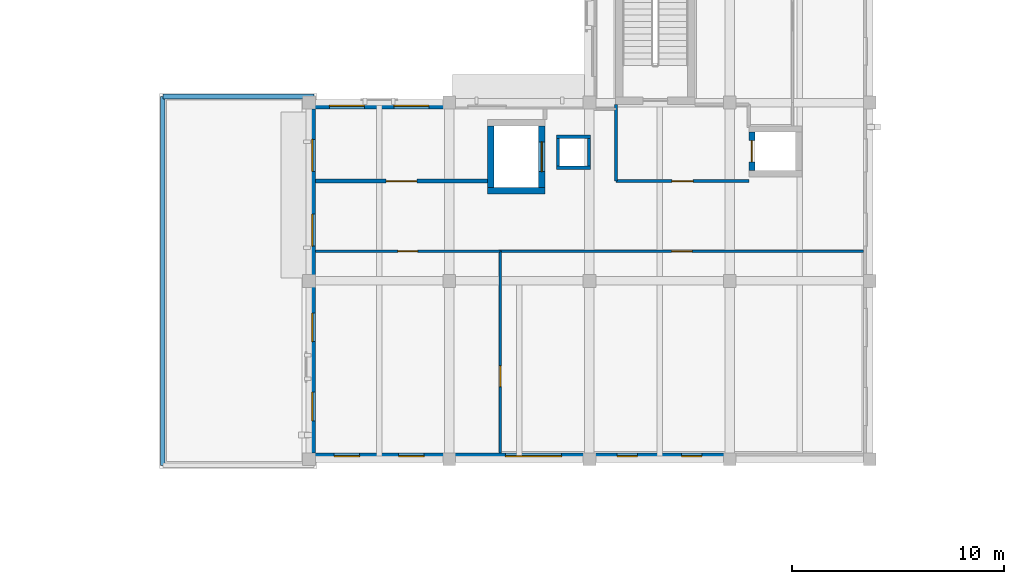
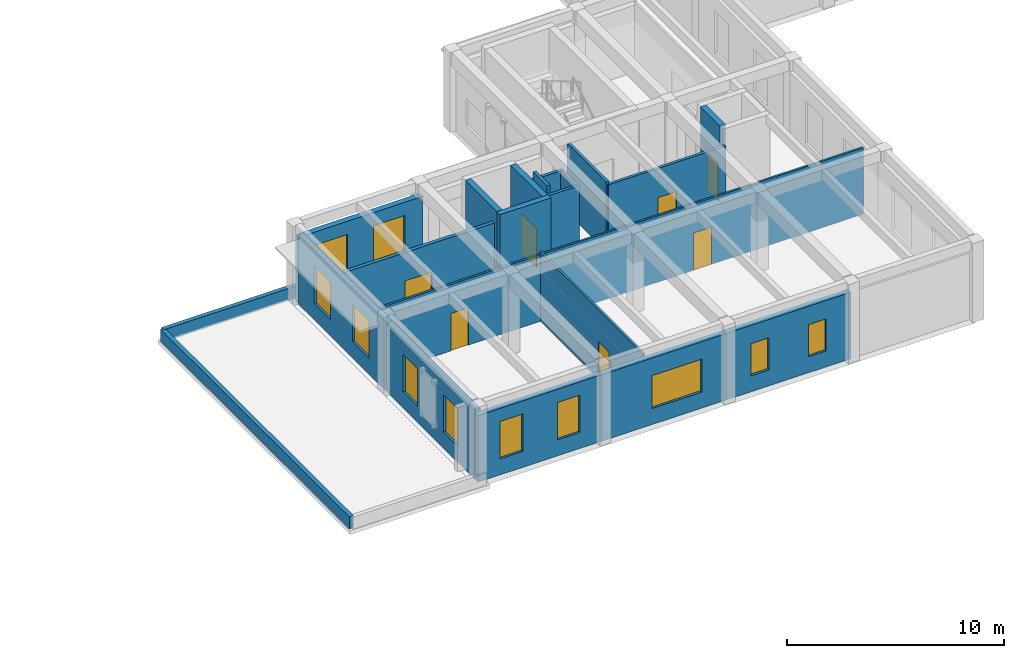
# One storey, part 9 of 25: 22 walls, 11 windows, 7 doors, 18 openings.
"""IFC4 building model written with IfcOpenShell, lengths in metres."""

from ifc_helpers import new_model, si_unit, direction, frame, frame_2d, origin, place, context, subcontext, project, spatial, rectangle, extrude, material, layer, layer_set, type_object, element, fill, save


model = new_model("IFC4")

# Units and contexts
model_context = context("Model", 3, precision=1e-05, world=origin(), true_north=direction((0.0, 1.0)))
body_context = subcontext(model_context, "Body", "Model", "MODEL_VIEW")
ifc_project = project(units=[si_unit("LENGTHUNIT", "METRE"), si_unit("AREAUNIT", "SQUARE_METRE"), si_unit("VOLUMEUNIT", "CUBIC_METRE"), si_unit("PLANEANGLEUNIT", "RADIAN"), si_unit("MASSUNIT", "GRAM", prefix="KILO")], contexts=[model_context])

# Site, building, storey
site_placement = place(None, origin())
site = spatial("IfcSite", under=ifc_project, at=site_placement, CompositionType="ELEMENT")
building_placement = place(site_placement, origin())
building = spatial("IfcBuilding", under=site, at=building_placement, Name="Kolvaren Faculty of Natural Sciences", CompositionType="ELEMENT")
storey_placement = place(building_placement, frame((0.0, 0.0, 19.5)))
storey = spatial("IfcBuildingStorey", under=building, at=storey_placement, Name="L04", CompositionType="ELEMENT", Elevation=19.5)

# Wall, openings, windows
ifc_material_1 = material(Name="Sandstone-faced insulated cavity masonry", Category="masonry")
ifc_layer_1 = layer(ifc_material_1, 0.300048828125)
ifc_layer_set_1 = layer_set([ifc_layer_1], Name="Sandstone-faced insulated cavity masonry")
wall_type_1 = type_object("IfcWallType", Name="ExteriorCavityWall_300", PredefinedType="STANDARD", material=ifc_layer_set_1)
wall_1_placement = place(storey_placement, frame((132.199951171875, 17.14990234375, 0.0), z_axis=(0.0, 0.0, 1.0), x_axis=(-1.0, 0.0, 0.0)))
wall_1 = element("IfcWall", 1, at=wall_1_placement, inside=storey, type_object=wall_type_1, Name="L04 exterior masonry wall EW-300 (625)", PredefinedType="STANDARD", context=body_context, shape_type="SweptSolid", body=[
    extrude(rectangle(XDim=6.599853515625, YDim=0.300048828125, at=frame_2d((3.2998046875, 0.0))), origin(), (0.0, 0.0, 1.0), 3.735107421875),
])
opening_1_placement = place(wall_1_placement, frame((1.306884765625, 0.0, 0.89990234375)))
opening_1 = element("IfcOpeningElement", 2, at=opening_1_placement, cuts=wall_1, Name="Opening WIN-23", PredefinedType="OPENING", context=body_context, shape_type="SweptSolid", body=[
    extrude(rectangle(XDim=0.949951171875, YDim=1.800048828125, at=frame_2d((0.47509765625, 0.89990234375))), frame((0.0, 0.159912109375, 0.0), z_axis=(0.0, -1.0, 0.0), x_axis=(1.0, 0.0, 0.0)), (0.0, 0.0, 1.0), 0.320068359375),
])
opening_2_placement = place(wall_1_placement, frame((4.343017578125, 0.0, 0.89990234375)))
opening_2 = element("IfcOpeningElement", 3, at=opening_2_placement, cuts=wall_1, Name="Opening WIN-23", PredefinedType="OPENING", context=body_context, shape_type="SweptSolid", body=[
    extrude(rectangle(XDim=0.949951171875, YDim=1.800048828125, at=frame_2d((0.47509765625, 0.89990234375))), frame((0.0, 0.159912109375, 0.0), z_axis=(0.0, -1.0, 0.0), x_axis=(1.0, 0.0, 0.0)), (0.0, 0.0, 1.0), 0.320068359375),
])
ifc_material_2 = material(Name="Double low-E solar control insulated glazing", Category="glass")
window_type_1 = type_object("IfcWindowType", Name="AluWindow_WIN23_950x1800", PartitioningType="SINGLE_PANEL", PredefinedType="WINDOW", material=ifc_material_2)
window_1_placement = place(opening_1_placement, origin())
window_1 = element("IfcWindow", 4, at=window_1_placement, inside=storey, type_object=window_type_1, Name="WIN-L04-0423", OverallHeight=1.800048828125, OverallWidth=0.949951171875, PartitioningType="SINGLE_PANEL", PredefinedType="WINDOW", context=body_context, shape_type="SweptSolid", body=[
    extrude(rectangle(XDim=0.949951171875, YDim=1.800048828125, at=frame_2d((0.47509765625, 0.89990234375))), frame((0.0, 0.030029296875, 0.0), z_axis=(0.0, -1.0, 0.0), x_axis=(1.0, 0.0, 0.0)), (0.0, 0.0, 1.0), 0.06005859375),
])
fill(opening_1, window_1)
window_2_placement = place(opening_2_placement, origin())
window_2 = element("IfcWindow", 5, at=window_2_placement, inside=storey, type_object=window_type_1, Name="WIN-L04-0424", OverallHeight=1.800048828125, OverallWidth=0.949951171875, PartitioningType="SINGLE_PANEL", PredefinedType="WINDOW", context=body_context, shape_type="SweptSolid", body=[
    extrude(rectangle(XDim=0.949951171875, YDim=1.800048828125, at=frame_2d((0.47509765625, 0.89990234375))), frame((0.0, 0.030029296875, 0.0), z_axis=(0.0, -1.0, 0.0), x_axis=(1.0, 0.0, 0.0)), (0.0, 0.0, 1.0), 0.06005859375),
])
fill(opening_2, window_2)

# Wall, opening, window
wall_2_placement = place(storey_placement, frame((125.60009765625, 17.14990234375, 0.0), z_axis=(0.0, 0.0, 1.0), x_axis=(-1.0, 0.0, 0.0)))
wall_2 = element("IfcWall", 6, at=wall_2_placement, inside=storey, type_object=wall_type_1, Name="L04 exterior masonry wall EW-300 (626)", PredefinedType="STANDARD", context=body_context, shape_type="SweptSolid", body=[
    extrude(rectangle(XDim=6.60009765625, YDim=0.300048828125, at=frame_2d((3.300048828125, 0.0))), origin(), (0.0, 0.0, 1.0), 3.735107421875),
])
opening_3_placement = place(wall_2_placement, frame((1.31005859375, 0.0, 0.89990234375)))
opening_3 = element("IfcOpeningElement", 7, at=opening_3_placement, cuts=wall_2, Name="Opening WIN-24", PredefinedType="OPENING", context=body_context, shape_type="SweptSolid", body=[
    extrude(rectangle(XDim=2.64990234375, YDim=1.85009765625, at=frame_2d((1.324951171875, 0.925048828125))), frame((0.0, 0.159912109375, 0.0), z_axis=(0.0, -1.0, 0.0), x_axis=(1.0, 0.0, 0.0)), (0.0, 0.0, 1.0), 0.320068359375),
])
window_type_2 = type_object("IfcWindowType", Name="AluWindow_WIN24_2650x1850", PartitioningType="SINGLE_PANEL", PredefinedType="WINDOW", material=ifc_material_2)
window_3_placement = place(opening_3_placement, origin())
window_3 = element("IfcWindow", 8, at=window_3_placement, inside=storey, type_object=window_type_2, Name="WIN-L04-0425", OverallHeight=1.85009765625, OverallWidth=2.64990234375, PartitioningType="SINGLE_PANEL", PredefinedType="WINDOW", context=body_context, shape_type="SweptSolid", body=[
    extrude(rectangle(XDim=2.64990234375, YDim=1.85009765625, at=frame_2d((1.324951171875, 0.925048828125))), frame((0.0, 0.030029296875, 0.0), z_axis=(0.0, -1.0, 0.0), x_axis=(1.0, 0.0, 0.0)), (0.0, 0.0, 1.0), 0.06005859375),
])
fill(opening_3, window_3)

# Wall, openings, windows
wall_3_placement = place(storey_placement, frame((119.0, 17.14990234375, 0.0), z_axis=(0.0, 0.0, 1.0), x_axis=(-1.0, 0.0, 0.0)))
wall_3 = element("IfcWall", 9, at=wall_3_placement, inside=storey, type_object=wall_type_1, Name="L04 exterior masonry wall EW-300 (627)", PredefinedType="STANDARD", context=body_context, shape_type="SweptSolid", body=[
    extrude(rectangle(XDim=6.60009765625, YDim=0.300048828125, at=frame_2d((3.300048828125, 0.0))), origin(), (0.0, 0.0, 1.0), 3.735107421875),
])
opening_4_placement = place(wall_3_placement, frame((1.181884765625, 0.0, 0.89990234375)))
opening_4 = element("IfcOpeningElement", 10, at=opening_4_placement, cuts=wall_3, Name="Opening WIN-01", PredefinedType="OPENING", context=body_context, shape_type="SweptSolid", body=[
    extrude(rectangle(XDim=1.199951171875, YDim=2.10009765625, at=frame_2d((0.60009765625, 1.050048828125))), frame((0.0, 0.159912109375, 0.0), z_axis=(0.0, -1.0, 0.0), x_axis=(1.0, 0.0, 0.0)), (0.0, 0.0, 1.0), 0.320068359375),
])
opening_5_placement = place(wall_3_placement, frame((4.218017578125, 0.0, 0.89990234375)))
opening_5 = element("IfcOpeningElement", 11, at=opening_5_placement, cuts=wall_3, Name="Opening WIN-01", PredefinedType="OPENING", context=body_context, shape_type="SweptSolid", body=[
    extrude(rectangle(XDim=1.199951171875, YDim=2.10009765625, at=frame_2d((0.60009765625, 1.050048828125))), frame((0.0, 0.159912109375, 0.0), z_axis=(0.0, -1.0, 0.0), x_axis=(1.0, 0.0, 0.0)), (0.0, 0.0, 1.0), 0.320068359375),
])
window_type_3 = type_object("IfcWindowType", Name="AluWindow_WIN01_1200x2100", PartitioningType="SINGLE_PANEL", PredefinedType="WINDOW", material=ifc_material_2)
window_4_placement = place(opening_4_placement, origin())
window_4 = element("IfcWindow", 12, at=window_4_placement, inside=storey, type_object=window_type_3, Name="WIN-L04-0426", OverallHeight=2.10009765625, OverallWidth=1.199951171875, PartitioningType="SINGLE_PANEL", PredefinedType="WINDOW", context=body_context, shape_type="SweptSolid", body=[
    extrude(rectangle(XDim=1.199951171875, YDim=2.10009765625, at=frame_2d((0.60009765625, 1.050048828125))), frame((0.0, 0.030029296875, 0.0), z_axis=(0.0, -1.0, 0.0), x_axis=(1.0, 0.0, 0.0)), (0.0, 0.0, 1.0), 0.06005859375),
])
fill(opening_4, window_4)
window_5_placement = place(opening_5_placement, origin())
window_5 = element("IfcWindow", 13, at=window_5_placement, inside=storey, type_object=window_type_3, Name="WIN-L04-0427", OverallHeight=2.10009765625, OverallWidth=1.199951171875, PartitioningType="SINGLE_PANEL", PredefinedType="WINDOW", context=body_context, shape_type="SweptSolid", body=[
    extrude(rectangle(XDim=1.199951171875, YDim=2.10009765625, at=frame_2d((0.60009765625, 1.050048828125))), frame((0.0, 0.030029296875, 0.0), z_axis=(0.0, -1.0, 0.0), x_axis=(1.0, 0.0, 0.0)), (0.0, 0.0, 1.0), 0.06005859375),
])
fill(opening_5, window_5)

wall_4_placement = place(storey_placement, frame((112.550048828125, 17.300048828125, 0.0), z_axis=(0.0, 0.0, 1.0), x_axis=(0.0, 1.0, 0.0)))
wall_4 = element("IfcWall", 14, at=wall_4_placement, inside=storey, type_object=wall_type_1, Name="L04 exterior masonry wall EW-300 (628)", PredefinedType="STANDARD", context=body_context, shape_type="SweptSolid", body=[
    extrude(rectangle(XDim=8.099853515625, YDim=0.300048828125, at=frame_2d((4.0498046875, 0.0))), origin(), (0.0, 0.0, 1.0), 3.885009765625),
])
opening_6_placement = place(wall_4_placement, frame((1.511962890625, 0.0, 0.89990234375)))
opening_6 = element("IfcOpeningElement", 15, at=opening_6_placement, cuts=wall_4, Name="Opening WIN-02", PredefinedType="OPENING", context=body_context, shape_type="SweptSolid", body=[
    extrude(rectangle(XDim=1.35009765625, YDim=2.10009765625, at=frame_2d((0.675048828125, 1.050048828125))), frame((0.0, 0.159912109375, 0.0), z_axis=(0.0, -1.0, 0.0), x_axis=(1.0, 0.0, 0.0)), (0.0, 0.0, 1.0), 0.320068359375),
])
opening_7_placement = place(wall_4_placement, frame((5.238037109375, 0.0, 0.89990234375)))
opening_7 = element("IfcOpeningElement", 16, at=opening_7_placement, cuts=wall_4, Name="Opening WIN-02", PredefinedType="OPENING", context=body_context, shape_type="SweptSolid", body=[
    extrude(rectangle(XDim=1.35009765625, YDim=2.10009765625, at=frame_2d((0.675048828125, 1.050048828125))), frame((0.0, 0.159912109375, 0.0), z_axis=(0.0, -1.0, 0.0), x_axis=(1.0, 0.0, 0.0)), (0.0, 0.0, 1.0), 0.320068359375),
])
window_type_4 = type_object("IfcWindowType", Name="AluWindow_WIN02_1350x2100", PartitioningType="SINGLE_PANEL", PredefinedType="WINDOW", material=ifc_material_2)
window_6_placement = place(opening_6_placement, origin())
window_6 = element("IfcWindow", 17, at=window_6_placement, inside=storey, type_object=window_type_4, Name="WIN-L04-0428", OverallHeight=2.10009765625, OverallWidth=1.35009765625, PartitioningType="SINGLE_PANEL", PredefinedType="WINDOW", context=body_context, shape_type="SweptSolid", body=[
    extrude(rectangle(XDim=1.35009765625, YDim=2.10009765625, at=frame_2d((0.675048828125, 1.050048828125))), frame((0.0, 0.030029296875, 0.0), z_axis=(0.0, -1.0, 0.0), x_axis=(1.0, 0.0, 0.0)), (0.0, 0.0, 1.0), 0.06005859375),
])
fill(opening_6, window_6)
window_7_placement = place(opening_7_placement, origin())
window_7 = element("IfcWindow", 18, at=window_7_placement, inside=storey, type_object=window_type_4, Name="WIN-L04-0429", OverallHeight=2.10009765625, OverallWidth=1.35009765625, PartitioningType="SINGLE_PANEL", PredefinedType="WINDOW", context=body_context, shape_type="SweptSolid", body=[
    extrude(rectangle(XDim=1.35009765625, YDim=2.10009765625, at=frame_2d((0.675048828125, 1.050048828125))), frame((0.0, 0.030029296875, 0.0), z_axis=(0.0, -1.0, 0.0), x_axis=(1.0, 0.0, 0.0)), (0.0, 0.0, 1.0), 0.06005859375),
])
fill(opening_7, window_7)

wall_5_placement = place(storey_placement, frame((112.550048828125, 25.39990234375, 0.0), z_axis=(0.0, 0.0, 1.0), x_axis=(0.0, 1.0, 0.0)))
wall_5 = element("IfcWall", 19, at=wall_5_placement, inside=storey, type_object=wall_type_1, Name="L04 exterior masonry wall EW-300 (629)", PredefinedType="STANDARD", context=body_context, shape_type="SweptSolid", body=[
    extrude(rectangle(XDim=8.10009765625, YDim=0.300048828125, at=frame_2d((4.050048828125, 0.0))), origin(), (0.0, 0.0, 1.0), 3.885009765625),
])
opening_8_placement = place(wall_5_placement, frame((1.639892578125, 0.0, 0.89990234375)))
opening_8 = element("IfcOpeningElement", 20, at=opening_8_placement, cuts=wall_5, Name="Opening WIN-03", PredefinedType="OPENING", context=body_context, shape_type="SweptSolid", body=[
    extrude(rectangle(XDim=1.5, YDim=2.10009765625, at=frame_2d((0.75, 1.050048828125))), frame((0.0, 0.159912109375, 0.0), z_axis=(0.0, -1.0, 0.0), x_axis=(1.0, 0.0, 0.0)), (0.0, 0.0, 1.0), 0.320068359375),
])
opening_9_placement = place(wall_5_placement, frame((5.1630859375, 0.0, 0.89990234375)))
opening_9 = element("IfcOpeningElement", 21, at=opening_9_placement, cuts=wall_5, Name="Opening WIN-03", PredefinedType="OPENING", context=body_context, shape_type="SweptSolid", body=[
    extrude(rectangle(XDim=1.5, YDim=2.10009765625, at=frame_2d((0.75, 1.050048828125))), frame((0.0, 0.159912109375, 0.0), z_axis=(0.0, -1.0, 0.0), x_axis=(1.0, 0.0, 0.0)), (0.0, 0.0, 1.0), 0.320068359375),
])
window_type_5 = type_object("IfcWindowType", Name="AluWindow_WIN03_1500x2100", PartitioningType="SINGLE_PANEL", PredefinedType="WINDOW", material=ifc_material_2)
window_8_placement = place(opening_8_placement, origin())
window_8 = element("IfcWindow", 22, at=window_8_placement, inside=storey, type_object=window_type_5, Name="WIN-L04-0430", OverallHeight=2.10009765625, OverallWidth=1.5, PartitioningType="SINGLE_PANEL", PredefinedType="WINDOW", context=body_context, shape_type="SweptSolid", body=[
    extrude(rectangle(XDim=1.5, YDim=2.10009765625, at=frame_2d((0.75, 1.050048828125))), frame((0.0, 0.030029296875, 0.0), z_axis=(0.0, -1.0, 0.0), x_axis=(1.0, 0.0, 0.0)), (0.0, 0.0, 1.0), 0.06005859375),
])
fill(opening_8, window_8)
window_9_placement = place(opening_9_placement, origin())
window_9 = element("IfcWindow", 23, at=window_9_placement, inside=storey, type_object=window_type_5, Name="WIN-L04-0431", OverallHeight=2.10009765625, OverallWidth=1.5, PartitioningType="SINGLE_PANEL", PredefinedType="WINDOW", context=body_context, shape_type="SweptSolid", body=[
    extrude(rectangle(XDim=1.5, YDim=2.10009765625, at=frame_2d((0.75, 1.050048828125))), frame((0.0, 0.030029296875, 0.0), z_axis=(0.0, -1.0, 0.0), x_axis=(1.0, 0.0, 0.0)), (0.0, 0.0, 1.0), 0.06005859375),
])
fill(opening_9, window_9)

wall_6_placement = place(storey_placement, frame((112.39990234375, 33.64990234375, 0.0), z_axis=(0.0, 0.0, 1.0), x_axis=(1.0, 0.0, 0.0)))
wall_6 = element("IfcWall", 24, at=wall_6_placement, inside=storey, type_object=wall_type_1, Name="L04 exterior masonry wall EW-300 (630)", PredefinedType="STANDARD", context=body_context, shape_type="SweptSolid", body=[
    extrude(rectangle(XDim=6.60009765625, YDim=0.300048828125, at=frame_2d((3.300048828125, 0.0))), origin(), (0.0, 0.0, 1.0), 3.735107421875),
])
opening_10_placement = place(wall_6_placement, frame((0.95703125, 0.0, 0.89990234375)))
opening_10 = element("IfcOpeningElement", 25, at=opening_10_placement, cuts=wall_6, Name="Opening WIN-04", PredefinedType="OPENING", context=body_context, shape_type="SweptSolid", body=[
    extrude(rectangle(XDim=1.64990234375, YDim=2.10009765625, at=frame_2d((0.824951171875, 1.050048828125))), frame((0.0, 0.159912109375, 0.0), z_axis=(0.0, -1.0, 0.0), x_axis=(1.0, 0.0, 0.0)), (0.0, 0.0, 1.0), 0.320068359375),
])
opening_11_placement = place(wall_6_placement, frame((3.992919921875, 0.0, 0.89990234375)))
opening_11 = element("IfcOpeningElement", 26, at=opening_11_placement, cuts=wall_6, Name="Opening WIN-04", PredefinedType="OPENING", context=body_context, shape_type="SweptSolid", body=[
    extrude(rectangle(XDim=1.64990234375, YDim=2.10009765625, at=frame_2d((0.824951171875, 1.050048828125))), frame((0.0, 0.159912109375, 0.0), z_axis=(0.0, -1.0, 0.0), x_axis=(1.0, 0.0, 0.0)), (0.0, 0.0, 1.0), 0.320068359375),
])
window_type_6 = type_object("IfcWindowType", Name="AluWindow_WIN04_1650x2100", PartitioningType="SINGLE_PANEL", PredefinedType="WINDOW", material=ifc_material_2)
window_10_placement = place(opening_10_placement, origin())
window_10 = element("IfcWindow", 27, at=window_10_placement, inside=storey, type_object=window_type_6, Name="WIN-L04-0432", OverallHeight=2.10009765625, OverallWidth=1.64990234375, PartitioningType="SINGLE_PANEL", PredefinedType="WINDOW", context=body_context, shape_type="SweptSolid", body=[
    extrude(rectangle(XDim=1.64990234375, YDim=2.10009765625, at=frame_2d((0.824951171875, 1.050048828125))), frame((0.0, 0.030029296875, 0.0), z_axis=(0.0, -1.0, 0.0), x_axis=(1.0, 0.0, 0.0)), (0.0, 0.0, 1.0), 0.06005859375),
])
fill(opening_10, window_10)
window_11_placement = place(opening_11_placement, origin())
window_11 = element("IfcWindow", 28, at=window_11_placement, inside=storey, type_object=window_type_6, Name="WIN-L04-0433", OverallHeight=2.10009765625, OverallWidth=1.64990234375, PartitioningType="SINGLE_PANEL", PredefinedType="WINDOW", context=body_context, shape_type="SweptSolid", body=[
    extrude(rectangle(XDim=1.64990234375, YDim=2.10009765625, at=frame_2d((0.824951171875, 1.050048828125))), frame((0.0, 0.030029296875, 0.0), z_axis=(0.0, -1.0, 0.0), x_axis=(1.0, 0.0, 0.0)), (0.0, 0.0, 1.0), 0.06005859375),
])
fill(opening_11, window_11)

# Wall, opening, door
ifc_material_3 = material(Name="Acoustic mineral-wool insulated gypsum partition")
ifc_layer_2 = layer(ifc_material_3, 0.18505859375)
ifc_layer_set_2 = layer_set([ifc_layer_2], Name="Acoustic mineral-wool insulated gypsum partition")
wall_type_2 = type_object("IfcWallType", Name="LabPartitionWall_185", PredefinedType="PARTITIONING", material=ifc_layer_set_2)
wall_7_placement = place(storey_placement, frame((120.798095703125, 30.10009765625, 0.0), z_axis=(0.0, 0.0, 1.0), x_axis=(-1.0, 0.0, 0.0)))
wall_7 = element("IfcWall", 29, at=wall_7_placement, inside=storey, type_object=wall_type_2, Name="L04 interior partition PW-185", PredefinedType="PARTITIONING", context=body_context, shape_type="SweptSolid", body=[
    extrude(rectangle(XDim=8.09619140625, YDim=0.18505859375, at=frame_2d((4.048095703125, 0.0))), origin(), (0.0, 0.0, 1.0), 3.735107421875),
])
opening_12_placement = place(wall_7_placement, frame((3.327880859375, 0.0, 0.0)))
opening_12 = element("IfcOpeningElement", 30, at=opening_12_placement, cuts=wall_7, Name="Opening ID-27", PredefinedType="OPENING", context=body_context, shape_type="SweptSolid", body=[
    extrude(rectangle(XDim=1.43994140625, YDim=2.139892578125, at=frame_2d((0.719970703125, 1.06982421875))), frame((0.0, 0.1025390625, 0.0), z_axis=(0.0, -1.0, 0.0), x_axis=(1.0, 0.0, 0.0)), (0.0, 0.0, 1.0), 0.205078125),
])
ifc_material_4 = material(Name="Thermally broken anodised aluminium glazed door", Category="aluminium")
door_type_1 = type_object("IfcDoorType", Name="InteriorRoomDoor_1440x2140", OperationType="DOUBLE_DOOR_SINGLE_SWING", PredefinedType="DOOR", material=ifc_material_4)
door_1_placement = place(opening_12_placement, origin())
door_1 = element("IfcDoor", 31, at=door_1_placement, inside=storey, type_object=door_type_1, Name="D-L04-0296", OperationType="DOUBLE_DOOR_SINGLE_SWING", OverallHeight=2.139892578125, OverallWidth=1.43994140625, PredefinedType="DOOR", context=body_context, shape_type="SweptSolid", body=[
    extrude(rectangle(XDim=1.43994140625, YDim=2.139892578125, at=frame_2d((0.719970703125, 1.06982421875))), frame((0.0, 0.02490234375, 0.0), z_axis=(0.0, -1.0, 0.0), x_axis=(1.0, 0.0, 0.0)), (0.0, 0.0, 1.0), 0.050048828125),
])
fill(opening_12, door_1)

# Walls
ifc_material_5 = material(Name="Precast concrete C35/45", Category="concrete")
ifc_layer_3 = layer(ifc_material_5, 0.219970703125)
ifc_layer_set_3 = layer_set([ifc_layer_3], Name="Precast concrete C35/45")
wall_type_3 = type_object("IfcWallType", Name="ParapetUpstandWall_220", PredefinedType="PARAPET", material=ifc_layer_set_3)
wall_8_placement = place(storey_placement, frame((105.52001953125, 16.719970703125, 0.0), z_axis=(0.0, 0.0, 1.0), x_axis=(0.0, 1.0, 0.0)))
element("IfcWall", 32, at=wall_8_placement, inside=storey, type_object=wall_type_3, Name="L04 architectural sandstone roof parapet 51", PredefinedType="PARAPET", context=body_context, shape_type="SweptSolid", body=[
    extrude(rectangle(XDim=17.360107421875, YDim=0.219970703125, at=frame_2d((8.68017578125, 0.0))), origin(), (0.0, 0.0, 1.0), 0.679931640625),
])
wall_9_placement = place(storey_placement, frame((105.52001953125, 34.080078125, 0.0), z_axis=(0.0, 0.0, 1.0), x_axis=(1.0, 0.0, 0.0)))
element("IfcWall", 33, at=wall_9_placement, inside=storey, type_object=wall_type_3, Name="L04 architectural sandstone roof parapet 52", PredefinedType="PARAPET", context=body_context, shape_type="SweptSolid", body=[
    extrude(rectangle(XDim=7.10986328125, YDim=0.219970703125, at=frame_2d((3.554931640625, 0.0))), origin(), (0.0, 0.0, 1.0), 0.679931640625),
])

# Wall, opening, door
ifc_material_6 = material(Name="Double fire-rated gypsum board on 100 mm steel stud", Category="steel")
ifc_layer_4 = layer(ifc_material_6, 0.14990234375)
ifc_layer_set_4 = layer_set([ifc_layer_4], Name="Double fire-rated gypsum board on 100 mm steel stud")
wall_type_4 = type_object("IfcWallType", Name="RatedCorridorWall_150", PredefinedType="PARTITIONING", material=ifc_layer_set_4)
wall_10_placement = place(storey_placement, frame((133.10009765625, 30.10009765625, 0.0), z_axis=(0.0, 0.0, 1.0), x_axis=(-1.0, 0.0, 0.0)))
wall_10 = element("IfcWall", 34, at=wall_10_placement, inside=storey, type_object=wall_type_4, Name="L04 interior partition LW-150", PredefinedType="PARTITIONING", context=body_context, shape_type="SweptSolid", body=[
    extrude(rectangle(XDim=6.25, YDim=0.14990234375, at=frame_2d((3.125, 0.0))), origin(), (0.0, 0.0, 1.0), 3.735107421875),
])
opening_13_placement = place(wall_10_placement, frame((2.625, 0.0, 0.0)))
opening_13 = element("IfcOpeningElement", 35, at=opening_13_placement, cuts=wall_10, Name="Opening FD30", PredefinedType="OPENING", context=body_context, shape_type="SweptSolid", body=[
    extrude(rectangle(XDim=1.0, YDim=2.10009765625, at=frame_2d((0.5, 1.050048828125))), frame((0.0, 0.0849609375, 0.0), z_axis=(0.0, -1.0, 0.0), x_axis=(1.0, 0.0, 0.0)), (0.0, 0.0, 1.0), 0.169921875),
])
ifc_material_7 = material(Name="Fire-rated solid-core hardwood door leaf in steel frame", Category="steel")
door_type_2 = type_object("IfcDoorType", Name="CorridorFireDoor_1000x2100", OperationType="NOTDEFINED", PredefinedType="DOOR", material=ifc_material_7)
door_2_placement = place(opening_13_placement, origin())
door_2 = element("IfcDoor", 36, at=door_2_placement, inside=storey, type_object=door_type_2, Name="D-L04-0266", OperationType="SINGLE_SWING_LEFT", OverallHeight=2.10009765625, OverallWidth=1.0, PredefinedType="DOOR", context=body_context, shape_type="SweptSolid", body=[
    extrude(rectangle(XDim=1.0, YDim=2.10009765625, at=frame_2d((0.5, 1.050048828125))), frame((0.0, 0.02490234375, 0.0), z_axis=(0.0, -1.0, 0.0), x_axis=(1.0, 0.0, 0.0)), (0.0, 0.0, 1.0), 0.050048828125),
])
fill(opening_13, door_2)

# Walls
wall_11_placement = place(storey_placement, frame((126.85009765625, 30.10009765625, 0.0), z_axis=(0.0, 0.0, 1.0), x_axis=(0.0, 1.0, 0.0)))
element("IfcWall", 37, at=wall_11_placement, inside=storey, type_object=wall_type_4, Name="L04 interior partition LW-150", PredefinedType="PARTITIONING", context=body_context, shape_type="SweptSolid", body=[
    extrude(rectangle(XDim=3.597900390625, YDim=0.14990234375, at=frame_2d((1.798828125, 0.0))), origin(), (0.0, 0.0, 1.0), 3.885009765625),
])
ifc_layer_5 = layer(ifc_material_6, 0.159912109375)
ifc_layer_set_5 = layer_set([ifc_layer_5], Name="Double fire-rated gypsum board on 100 mm steel stud")
wall_type_5 = type_object("IfcWallType", Name="RiserShaftWall_160", PredefinedType="PARTITIONING", material=ifc_layer_set_5)
for number, where, z_axis, x_axis, name in (
    (38, (124.0400390625, 30.719970703125, 0.0), (0.0, 0.0, 1.0), (1.0, 0.0, 0.0), "L04 service riser shaft wall S"),
    (39, (124.0400390625, 32.179931640625, 0.0), (0.0, 0.0, 1.0), (1.0, 0.0, 0.0), "L04 service riser shaft wall N"),
):
    element("IfcWall", number, at=place(storey_placement, frame(where, z_axis=z_axis, x_axis=x_axis)), inside=storey, type_object=wall_type_5, Name=name, PredefinedType="PARTITIONING", context=body_context, shape_type="SweptSolid", body=[
        extrude(rectangle(XDim=1.619873046875, YDim=0.159912109375, at=frame_2d((0.81005859375, 0.0))), origin(), (0.0, 0.0, 1.0), 3.735107421875),
    ])
wall_12_placement = place(storey_placement, frame((124.1201171875, 30.800048828125, 0.0), z_axis=(0.0, 0.0, 1.0), x_axis=(0.0, 1.0, 0.0)))
element("IfcWall", 40, at=wall_12_placement, inside=storey, type_object=wall_type_5, Name="L04 service riser shaft wall W", PredefinedType="PARTITIONING", context=body_context, shape_type="SweptSolid", body=[
    extrude(rectangle(XDim=1.300048828125, YDim=0.159912109375, at=frame_2d((0.64990234375, 0.0))), origin(), (0.0, 0.0, 1.0), 4.195068359375),
])
wall_13_placement = place(storey_placement, frame((125.580078125, 30.800048828125, 0.0), z_axis=(0.0, 0.0, 1.0), x_axis=(0.0, 1.0, 0.0)))
element("IfcWall", 41, at=wall_13_placement, inside=storey, type_object=wall_type_5, Name="L04 service riser shaft wall E", PredefinedType="PARTITIONING", context=body_context, shape_type="SweptSolid", body=[
    extrude(rectangle(XDim=1.300048828125, YDim=0.159912109375, at=frame_2d((0.64990234375, 0.0))), origin(), (0.0, 0.0, 1.0), 3.735107421875),
])

# Wall, opening, door
ifc_material_8 = material(Name="Concrete C40/50", Category="concrete")
ifc_layer_6 = layer(ifc_material_8, 0.300048828125)
ifc_layer_set_6 = layer_set([ifc_layer_6], Name="Concrete C40/50")
wall_type_6 = type_object("IfcWallType", Name="ShaftShearWall_300", PredefinedType="SHEAR", material=ifc_layer_set_6)
wall_14_placement = place(storey_placement, frame((133.25, 30.60009765625, 0.0), z_axis=(0.0, 0.0, 1.0), x_axis=(0.0, 1.0, 0.0)))
wall_14 = element("IfcWall", 42, at=wall_14_placement, inside=storey, type_object=wall_type_6, Name="L04 lift PL-3 shaft wall W", PredefinedType="SHEAR", context=body_context, shape_type="SweptSolid", body=[
    extrude(rectangle(XDim=1.7998046875, YDim=0.300048828125, at=frame_2d((0.89990234375, 0.0))), origin(), (0.0, 0.0, 1.0), 4.5),
])
opening_14_placement = place(wall_14_placement, frame((0.39990234375, 0.0, 0.0)))
opening_14 = element("IfcOpeningElement", 43, at=opening_14_placement, cuts=wall_14, Name="Opening LD-02", PredefinedType="OPENING", context=body_context, shape_type="SweptSolid", body=[
    extrude(rectangle(XDim=1.0, YDim=2.10009765625, at=frame_2d((0.5, 1.050048828125))), frame((0.0, 0.159912109375, 0.0), z_axis=(0.0, -1.0, 0.0), x_axis=(1.0, 0.0, 0.0)), (0.0, 0.0, 1.0), 0.320068359375),
])
ifc_material_9 = material(Name="Brushed stainless steel lift car and sliding door assembly", Category="steel")
door_type_3 = type_object("IfcDoorType", Name="LiftLandingSliding_1000x2100", OperationType="SLIDING_TO_LEFT", PredefinedType="DOOR", material=ifc_material_9)
door_3_placement = place(opening_14_placement, origin())
door_3 = element("IfcDoor", 44, at=door_3_placement, inside=storey, type_object=door_type_3, Name="D-LIFT-PL-3-L04", OperationType="SLIDING_TO_LEFT", OverallHeight=2.10009765625, OverallWidth=1.0, PredefinedType="DOOR", context=body_context, shape_type="SweptSolid", body=[
    extrude(rectangle(XDim=1.0, YDim=2.10009765625, at=frame_2d((0.5, 1.050048828125))), frame((0.0, 0.02490234375, 0.0), z_axis=(0.0, -1.0, 0.0), x_axis=(1.0, 0.0, 0.0)), (0.0, 0.0, 1.0), 0.050048828125),
])
fill(opening_14, door_3)

# Walls
wall_15_placement = place(storey_placement, frame((120.800048828125, 29.64990234375, 0.0), z_axis=(0.0, 0.0, 1.0), x_axis=(1.0, 0.0, 0.0)))
element("IfcWall", 45, at=wall_15_placement, inside=storey, type_object=wall_type_6, Name="L04 lift GL-1 shaft wall S", PredefinedType="SHEAR", context=body_context, shape_type="SweptSolid", body=[
    extrude(rectangle(XDim=2.699951171875, YDim=0.300048828125, at=frame_2d((1.35009765625, 0.0))), origin(), (0.0, 0.0, 1.0), 4.5),
])
wall_16_placement = place(storey_placement, frame((120.949951171875, 29.800048828125, 0.0), z_axis=(0.0, 0.0, 1.0), x_axis=(0.0, 1.0, 0.0)))
element("IfcWall", 46, at=wall_16_placement, inside=storey, type_object=wall_type_6, Name="L04 lift GL-1 shaft wall W", PredefinedType="SHEAR", context=body_context, shape_type="SweptSolid", body=[
    extrude(rectangle(XDim=2.89990234375, YDim=0.300048828125, at=frame_2d((1.449951171875, 0.0))), origin(), (0.0, 0.0, 1.0), 4.5),
])

# Wall, opening, door
wall_17_placement = place(storey_placement, frame((123.35009765625, 29.800048828125, 0.0), z_axis=(0.0, 0.0, 1.0), x_axis=(0.0, 1.0, 0.0)))
wall_17 = element("IfcWall", 47, at=wall_17_placement, inside=storey, type_object=wall_type_6, Name="L04 lift GL-1 shaft wall E", PredefinedType="SHEAR", context=body_context, shape_type="SweptSolid", body=[
    extrude(rectangle(XDim=2.89990234375, YDim=0.300048828125, at=frame_2d((1.449951171875, 0.0))), origin(), (0.0, 0.0, 1.0), 4.5),
])
opening_15_placement = place(wall_17_placement, frame((0.75, 0.0, 0.0)))
opening_15 = element("IfcOpeningElement", 48, at=opening_15_placement, cuts=wall_17, Name="Opening LD-03", PredefinedType="OPENING", context=body_context, shape_type="SweptSolid", body=[
    extrude(rectangle(XDim=1.39990234375, YDim=2.199951171875, at=frame_2d((0.699951171875, 1.10009765625))), frame((0.0, 0.159912109375, 0.0), z_axis=(0.0, -1.0, 0.0), x_axis=(1.0, 0.0, 0.0)), (0.0, 0.0, 1.0), 0.320068359375),
])
door_type_4 = type_object("IfcDoorType", Name="GoodsLiftSliding_1400x2200", OperationType="DOUBLE_DOOR_SLIDING", PredefinedType="DOOR", material=ifc_material_9)
door_4_placement = place(opening_15_placement, origin())
door_4 = element("IfcDoor", 49, at=door_4_placement, inside=storey, type_object=door_type_4, Name="D-LIFT-GL-1-L04", OperationType="DOUBLE_DOOR_SLIDING", OverallHeight=2.199951171875, OverallWidth=1.39990234375, PredefinedType="DOOR", context=body_context, shape_type="SweptSolid", body=[
    extrude(rectangle(XDim=1.39990234375, YDim=2.199951171875, at=frame_2d((0.699951171875, 1.10009765625))), frame((0.0, 0.02490234375, 0.0), z_axis=(0.0, -1.0, 0.0), x_axis=(1.0, 0.0, 0.0)), (0.0, 0.0, 1.0), 0.050048828125),
])
fill(opening_15, door_4)

ifc_layer_7 = layer(ifc_material_3, 0.114990234375)
ifc_layer_set_7 = layer_set([ifc_layer_7], Name="Acoustic mineral-wool insulated gypsum partition")
wall_type_7 = type_object("IfcWallType", Name="StorePartitionWall_115", PredefinedType="PARTITIONING", material=ifc_layer_set_7)
wall_18_placement = place(storey_placement, frame((112.701904296875, 26.800048828125, 0.0), z_axis=(0.0, 0.0, 1.0), x_axis=(1.0, 0.0, 0.0)))
wall_18 = element("IfcWall", 50, at=wall_18_placement, inside=storey, type_object=wall_type_7, Name="L04 interior partition PW-115", PredefinedType="PARTITIONING", context=body_context, shape_type="SweptSolid", body=[
    extrude(rectangle(XDim=8.697998046875, YDim=0.114990234375, at=frame_2d((4.34912109375, 0.0))), origin(), (0.0, 0.0, 1.0), 3.735107421875),
])
opening_16_placement = place(wall_18_placement, frame((3.884033203125, 0.0, 0.0)))
opening_16 = element("IfcOpeningElement", 51, at=opening_16_placement, cuts=wall_18, Name="Opening ID-13", PredefinedType="OPENING", context=body_context, shape_type="SweptSolid", body=[
    extrude(rectangle(XDim=0.929931640625, YDim=2.10009765625, at=frame_2d((0.46484375, 1.050048828125))), frame((0.0, 0.0673828125, 0.0), z_axis=(0.0, -1.0, 0.0), x_axis=(1.0, 0.0, 0.0)), (0.0, 0.0, 1.0), 0.135009765625),
])
ifc_material_10 = material(Name="Solid-core hardwood veneer door leaf in steel frame", Category="steel")
door_type_5 = type_object("IfcDoorType", Name="InteriorRoomDoor_930x2100", OperationType="NOTDEFINED", PredefinedType="DOOR", material=ifc_material_10)
door_5_placement = place(opening_16_placement, origin())
door_5 = element("IfcDoor", 52, at=door_5_placement, inside=storey, type_object=door_type_5, Name="D-L04-0279", OperationType="SINGLE_SWING_RIGHT", OverallHeight=2.10009765625, OverallWidth=0.929931640625, PredefinedType="DOOR", context=body_context, shape_type="SweptSolid", body=[
    extrude(rectangle(XDim=0.929931640625, YDim=2.10009765625, at=frame_2d((0.46484375, 1.050048828125))), frame((0.0, 0.02490234375, 0.0), z_axis=(0.0, -1.0, 0.0), x_axis=(1.0, 0.0, 0.0)), (0.0, 0.0, 1.0), 0.050048828125),
])
fill(opening_16, door_5)

wall_19_placement = place(storey_placement, frame((121.39990234375, 26.800048828125, 0.0), z_axis=(0.0, 0.0, 1.0), x_axis=(0.0, -1.0, 0.0)))
wall_19 = element("IfcWall", 53, at=wall_19_placement, inside=storey, type_object=wall_type_7, Name="L04 interior partition PW-115", PredefinedType="PARTITIONING", context=body_context, shape_type="SweptSolid", body=[
    extrude(rectangle(XDim=9.498046875, YDim=0.114990234375, at=frame_2d((4.7490234375, 0.0))), origin(), (0.0, 0.0, 1.0), 3.885009765625),
])
opening_17_placement = place(wall_19_placement, frame((5.40380859375, 0.0, 0.0)))
opening_17 = element("IfcOpeningElement", 54, at=opening_17_placement, cuts=wall_19, Name="Opening ID-14", PredefinedType="OPENING", context=body_context, shape_type="SweptSolid", body=[
    extrude(rectangle(XDim=0.969970703125, YDim=2.10009765625, at=frame_2d((0.48486328125, 1.050048828125))), frame((0.0, 0.0673828125, 0.0), z_axis=(0.0, -1.0, 0.0), x_axis=(1.0, 0.0, 0.0)), (0.0, 0.0, 1.0), 0.135009765625),
])
door_type_6 = type_object("IfcDoorType", Name="InteriorRoomDoor_970x2100", OperationType="NOTDEFINED", PredefinedType="DOOR", material=ifc_material_10)
door_6_placement = place(opening_17_placement, origin())
door_6 = element("IfcDoor", 55, at=door_6_placement, inside=storey, type_object=door_type_6, Name="D-L04-0281", OperationType="SINGLE_SWING_RIGHT", OverallHeight=2.10009765625, OverallWidth=0.969970703125, PredefinedType="DOOR", context=body_context, shape_type="SweptSolid", body=[
    extrude(rectangle(XDim=0.969970703125, YDim=2.10009765625, at=frame_2d((0.48486328125, 1.050048828125))), frame((0.0, 0.02490234375, 0.0), z_axis=(0.0, -1.0, 0.0), x_axis=(1.0, 0.0, 0.0)), (0.0, 0.0, 1.0), 0.050048828125),
])
fill(opening_17, door_6)

ifc_layer_8 = layer(ifc_material_3, 0.10498046875)
ifc_layer_set_8 = layer_set([ifc_layer_8], Name="Acoustic mineral-wool insulated gypsum partition")
wall_type_8 = type_object("IfcWallType", Name="WetRoomPartition_105", PredefinedType="PARTITIONING", material=ifc_layer_set_8)
wall_20_placement = place(storey_placement, frame((121.39990234375, 26.800048828125, 0.0), z_axis=(0.0, 0.0, 1.0), x_axis=(1.0, 0.0, 0.0)))
wall_20 = element("IfcWall", 56, at=wall_20_placement, inside=storey, type_object=wall_type_8, Name="L04 interior partition PW-105", PredefinedType="PARTITIONING", context=body_context, shape_type="SweptSolid", body=[
    extrude(rectangle(XDim=17.09814453125, YDim=0.10498046875, at=frame_2d((8.549072265625, 0.0))), origin(), (0.0, 0.0, 1.0), 3.735107421875),
])
opening_18_placement = place(wall_20_placement, frame((8.06396484375, 0.0, 0.0)))
opening_18 = element("IfcOpeningElement", 57, at=opening_18_placement, cuts=wall_20, Name="Opening ID-14", PredefinedType="OPENING", context=body_context, shape_type="SweptSolid", body=[
    extrude(rectangle(XDim=0.969970703125, YDim=2.10009765625, at=frame_2d((0.48486328125, 1.050048828125))), frame((0.0, 0.0625, 0.0), z_axis=(0.0, -1.0, 0.0), x_axis=(1.0, 0.0, 0.0)), (0.0, 0.0, 1.0), 0.125),
])
door_7_placement = place(opening_18_placement, origin())
door_7 = element("IfcDoor", 58, at=door_7_placement, inside=storey, type_object=door_type_6, Name="D-L04-0280", OperationType="SINGLE_SWING_LEFT", OverallHeight=2.10009765625, OverallWidth=0.969970703125, PredefinedType="DOOR", context=body_context, shape_type="SweptSolid", body=[
    extrude(rectangle(XDim=0.969970703125, YDim=2.10009765625, at=frame_2d((0.48486328125, 1.050048828125))), frame((0.0, 0.02490234375, 0.0), z_axis=(0.0, -1.0, 0.0), x_axis=(1.0, 0.0, 0.0)), (0.0, 0.0, 1.0), 0.050048828125),
])
fill(opening_18, door_7)

save(model, "model.ifc")
